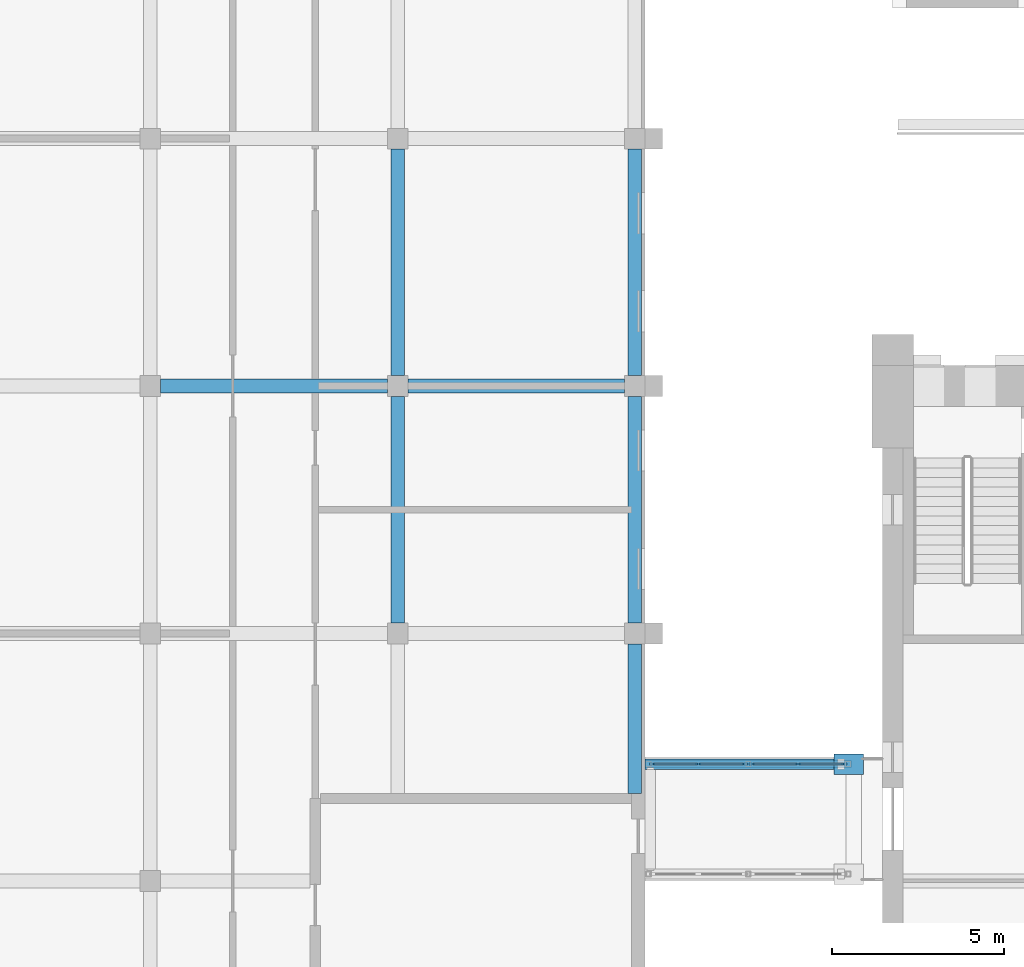
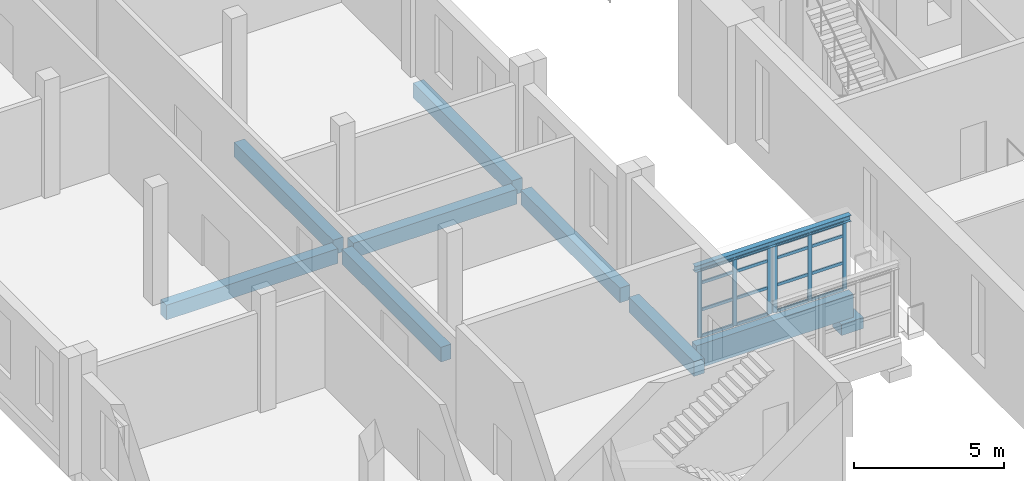
# One storey, part 41 of 131: 22 members, 10 beams, 2 elements without a shape of their own.
"""IFC4 building model written with IfcOpenShell, lengths in metres."""

from ifc_helpers import new_model, si_unit, direction, frame, origin, origin_2d, place, context, subcontext, project, spatial, rectangle, i_section, extrude, material, layer, layer_set, material_profile, profile_set, type_object, element, aggregate, save


model = new_model("IFC4")

# Units and contexts
model_context = context("Model", 3, precision=1e-05, world=origin(), true_north=direction((0.0, 1.0)))
body_context = subcontext(model_context, "Body", "Model", "MODEL_VIEW")
ifc_project = project(units=[si_unit("LENGTHUNIT", "METRE"), si_unit("AREAUNIT", "SQUARE_METRE"), si_unit("VOLUMEUNIT", "CUBIC_METRE"), si_unit("PLANEANGLEUNIT", "RADIAN"), si_unit("MASSUNIT", "GRAM", prefix="KILO")], contexts=[model_context])

# Site, building, storey
site_placement = place(None, origin())
site = spatial("IfcSite", under=ifc_project, at=site_placement, CompositionType="ELEMENT")
building_placement = place(site_placement, origin())
building = spatial("IfcBuilding", under=site, at=building_placement, Name="Alderwick Market Hall", CompositionType="ELEMENT")
storey_placement = place(building_placement, frame((0.0, 0.0, 4.800048828125)))
storey = spatial("IfcBuildingStorey", under=building, at=storey_placement, Name="L00", CompositionType="ELEMENT", Elevation=4.800048828125)

# Beams
ifc_material_1 = material(Name="Concrete 5000 psi (f'c 35 MPa)", Category="concrete")
ifc_material_profile_1 = material_profile(ifc_material_1, rectangle(XDim=0.39990234375, YDim=0.60009765625, at=origin_2d()), Name="B RC Beam 400x600")
ifc_profile_set_1 = profile_set([ifc_material_profile_1], Name="Concrete 5000 psi (f'c 35 MPa)")
beam_type_1 = type_object("IfcBeamType", Name="B RC Beam 400x600", PredefinedType="BEAM", material=ifc_profile_set_1)
beam_1_placement = place(storey_placement, frame((29.10009765625, 108.0, -0.550048828125), z_axis=(1.0, 0.0, 0.0), x_axis=(0.0, 1.0, 0.0)))
element("IfcBeam", 1, at=beam_1_placement, inside=storey, type_object=beam_type_1, Name="B.N.beam.L00.u216-0075", PredefinedType="BEAM", context=body_context, shape_type="SweptSolid", body=[
    extrude(rectangle(XDim=0.39990234375, YDim=0.60009765625, at=origin_2d()), origin(), (0.0, 0.0, 1.0), 6.599853515625),
])
beam_2_placement = place(storey_placement, frame((36.300048828125, 108.0, -0.550048828125), z_axis=(1.0, 0.0, 0.0), x_axis=(0.0, 1.0, 0.0)))
element("IfcBeam", 2, at=beam_2_placement, inside=storey, type_object=beam_type_1, Name="B.N.beam.L00.u216-0147", PredefinedType="BEAM", context=body_context, shape_type="SweptSolid", body=[
    extrude(rectangle(XDim=0.39990234375, YDim=0.60009765625, at=origin_2d()), origin(), (0.0, 0.0, 1.0), 6.300048828125),
])
for number, where, z_axis, x_axis, name in (
    (3, (36.0, 114.89990234375, -0.550048828125), (0.0, -1.0, 0.0), (1.0, 0.0, 0.0), "B.N.beam.L00.w144-0147"),
    (4, (36.0, 107.699951171875, -0.550048828125), (0.0, -1.0, 0.0), (1.0, 0.0, 0.0), "B.N.beam.L00.w144-0219"),
    (5, (42.89990234375, 114.89990234375, -0.550048828125), (0.0, -1.0, 0.0), (1.0, 0.0, 0.0), "B.N.beam.L00.w213-0147"),
    (6, (42.89990234375, 107.699951171875, -0.550048828125), (0.0, -1.0, 0.0), (1.0, 0.0, 0.0), "B.N.beam.L00.w213-0219"),
):
    element("IfcBeam", number, at=place(storey_placement, frame(where, z_axis=z_axis, x_axis=x_axis)), inside=storey, type_object=beam_type_1, Name=name, PredefinedType="BEAM", context=body_context, shape_type="SweptSolid", body=[
        extrude(rectangle(XDim=0.39990234375, YDim=0.60009765625, at=origin_2d()), origin(), (0.0, 0.0, 1.0), 6.599853515625),
    ])
beam_3_placement = place(storey_placement, frame((42.89990234375, 100.5, -0.550048828125), z_axis=(0.0, -1.0, 0.0), x_axis=(1.0, 0.0, 0.0)))
element("IfcBeam", 7, at=beam_3_placement, inside=storey, type_object=beam_type_1, Name="B.N.beam.L00.w213-0291", PredefinedType="BEAM", context=body_context, shape_type="SweptSolid", body=[
    extrude(rectangle(XDim=0.39990234375, YDim=0.60009765625, at=origin_2d()), origin(), (0.0, 0.0, 1.0), 4.35009765625),
])

# Curtain wall, members
ifc_material_2 = material(Name="Aluminium frame", Category="aluminium")
ifc_layer = layer(ifc_material_2, 0.10009765625)
ifc_layer_set = layer_set([ifc_layer], Name="Aluminium frame")
curtain_wall_type = type_object("IfcCurtainWallType", Name="P Curtain Wall 100", PredefinedType="NOTDEFINED", material=ifc_layer_set)
curtain_wall_1_placement = place(storey_placement, origin())
curtain_wall_1 = element("IfcCurtainWall", 8, at=curtain_wall_1_placement, inside=storey, type_object=curtain_wall_type, Name="P.P5.cw.b0", PredefinedType="NOTDEFINED")
ifc_material_profile_2 = material_profile(ifc_material_2, rectangle(XDim=0.06005859375, YDim=0.159912109375, at=origin_2d()), Name="P Mullion 60x160")
ifc_profile_set_2 = profile_set([ifc_material_profile_2], Name="Aluminium frame")
member_type_1 = type_object("IfcMemberType", Name="P Mullion 60x160", PredefinedType="MULLION", material=ifc_profile_set_2)
member_1_placement = place(storey_placement, frame((43.406005859375, 97.0, 0.0), z_axis=(0.0, 0.0, 1.0), x_axis=(0.0, 1.0, 0.0)))
member_1 = element("IfcMember", 9, at=member_1_placement, type_object=member_type_1, Name="P-CW5b0 mullion 1", PredefinedType="MULLION", context=body_context, shape_type="SweptSolid", body=[
    extrude(rectangle(XDim=0.06005859375, YDim=0.159912109375, at=origin_2d()), origin(), (0.0, 0.0, 1.0), 2.7529296875),
])
member_2_placement = place(storey_placement, frame((44.75, 97.0, 0.0), z_axis=(0.0, 0.0, 1.0), x_axis=(0.0, 1.0, 0.0)))
member_2 = element("IfcMember", 10, at=member_2_placement, type_object=member_type_1, Name="P-CW5b0 mullion 2", PredefinedType="MULLION", context=body_context, shape_type="SweptSolid", body=[
    extrude(rectangle(XDim=0.06005859375, YDim=0.159912109375, at=origin_2d()), origin(), (0.0, 0.0, 1.0), 2.7529296875),
])
member_3_placement = place(storey_placement, frame((46.093994140625, 97.0, 0.0), z_axis=(0.0, 0.0, 1.0), x_axis=(0.0, 1.0, 0.0)))
member_3 = element("IfcMember", 11, at=member_3_placement, type_object=member_type_1, Name="P-CW5b0 mullion 3", PredefinedType="MULLION", context=body_context, shape_type="SweptSolid", body=[
    extrude(rectangle(XDim=0.06005859375, YDim=0.159912109375, at=origin_2d()), origin(), (0.0, 0.0, 1.0), 2.7529296875),
])

curtain_wall_2_placement = place(storey_placement, origin())
curtain_wall_2 = element("IfcCurtainWall", 12, at=curtain_wall_2_placement, inside=storey, type_object=curtain_wall_type, Name="P.P5.cw.b1", PredefinedType="NOTDEFINED")
member_4_placement = place(storey_placement, frame((46.305908203125, 97.0, 0.0), z_axis=(0.0, 0.0, 1.0), x_axis=(0.0, 1.0, 0.0)))
member_4 = element("IfcMember", 13, at=member_4_placement, type_object=member_type_1, Name="P-CW5b1 mullion 1", PredefinedType="MULLION", context=body_context, shape_type="SweptSolid", body=[
    extrude(rectangle(XDim=0.06005859375, YDim=0.159912109375, at=origin_2d()), origin(), (0.0, 0.0, 1.0), 2.7529296875),
])
member_5_placement = place(storey_placement, frame((47.64990234375, 97.0, 0.0), z_axis=(0.0, 0.0, 1.0), x_axis=(0.0, 1.0, 0.0)))
member_5 = element("IfcMember", 14, at=member_5_placement, type_object=member_type_1, Name="P-CW5b1 mullion 2", PredefinedType="MULLION", context=body_context, shape_type="SweptSolid", body=[
    extrude(rectangle(XDim=0.06005859375, YDim=0.159912109375, at=origin_2d()), origin(), (0.0, 0.0, 1.0), 2.7529296875),
])
member_6_placement = place(storey_placement, frame((48.993896484375, 97.0, 0.0), z_axis=(0.0, 0.0, 1.0), x_axis=(0.0, 1.0, 0.0)))
member_6 = element("IfcMember", 15, at=member_6_placement, type_object=member_type_1, Name="P-CW5b1 mullion 3", PredefinedType="MULLION", context=body_context, shape_type="SweptSolid", body=[
    extrude(rectangle(XDim=0.06005859375, YDim=0.159912109375, at=origin_2d()), origin(), (0.0, 0.0, 1.0), 2.7529296875),
])

# Beams
ifc_material_profile_3 = material_profile(ifc_material_1, rectangle(XDim=0.60009765625, YDim=0.449951171875, at=origin_2d()), Name="P RC Bearing Corbel 600x450")
ifc_profile_set_3 = profile_set([ifc_material_profile_3], Name="Concrete 5000 psi (f'c 35 MPa)")
beam_type_2 = type_object("IfcBeamType", Name="P RC Bearing Corbel 600x450", PredefinedType="USERDEFINED", material=ifc_profile_set_3)
beam_4_placement = place(storey_placement, frame((48.699951171875, 97.0, -1.39306640625), z_axis=(1.0, 0.0, 0.0), x_axis=(0.0, 1.0, 0.0)))
element("IfcBeam", 16, at=beam_4_placement, inside=storey, type_object=beam_type_2, Name="Bearing corbel", ObjectType="CORBEL", PredefinedType="USERDEFINED", context=body_context, shape_type="SweptSolid", body=[
    extrude(rectangle(XDim=0.60009765625, YDim=0.449951171875, at=origin_2d()), origin(), (0.0, 0.0, 1.0), 0.85009765625),
])
ifc_material_profile_4 = material_profile(ifc_material_1, rectangle(XDim=0.300048828125, YDim=0.949951171875, at=origin_2d()), Name="P RC Edge Girder 300x950")
ifc_profile_set_4 = profile_set([ifc_material_profile_4], Name="Concrete 5000 psi (f'c 35 MPa)")
beam_type_3 = type_object("IfcBeamType", Name="P RC Edge Girder 300x950", PredefinedType="BEAM", material=ifc_profile_set_4)
beam_5_placement = place(storey_placement, frame((43.199951171875, 97.0, -0.675048828125), z_axis=(1.0, 0.0, 0.0), x_axis=(0.0, 1.0, 0.0)))
element("IfcBeam", 17, at=beam_5_placement, inside=storey, type_object=beam_type_3, Name="P.P5.girder.b", PredefinedType="BEAM", context=body_context, shape_type="SweptSolid", body=[
    extrude(rectangle(XDim=0.300048828125, YDim=0.949951171875, at=origin_2d()), origin(), (0.0, 0.0, 1.0), 6.050048828125),
])
ifc_material_3 = material(Name="Steel ASTM A992 Grade 50", Category="steel")
ifc_material_profile_5 = material_profile(ifc_material_3, i_section(OverallWidth=0.201904296875, OverallDepth=0.2470703125, WebThickness=0.00732421875, FlangeThickness=0.010986328125, at=origin_2d()), Name="W250x49")
ifc_profile_set_5 = profile_set([ifc_material_profile_5], Name="Steel ASTM A992 Grade 50")
beam_type_4 = type_object("IfcBeamType", Name="P Roof Beam W250x49", PredefinedType="BEAM", material=ifc_profile_set_5)
beam_6_placement = place(storey_placement, frame((43.199951171875, 97.0, 2.87646484375), z_axis=(1.0, 0.0, 0.0), x_axis=(0.0, 1.0, 0.0)))
element("IfcBeam", 18, at=beam_6_placement, inside=storey, type_object=beam_type_4, Name="P.P5.rbeam.b", PredefinedType="BEAM", context=body_context, shape_type="SweptSolid", body=[
    extrude(i_section(OverallWidth=0.201904296875, OverallDepth=0.2470703125, WebThickness=0.00732421875, FlangeThickness=0.010986328125, at=origin_2d()), origin(), (0.0, 0.0, 1.0), 6.0),
])

# Member
ifc_material_profile_6 = material_profile(ifc_material_2, rectangle(XDim=0.06005859375, YDim=0.1201171875, at=origin_2d()), Name="P Transom 60x120")
ifc_profile_set_6 = profile_set([ifc_material_profile_6], Name="Aluminium frame")
member_type_2 = type_object("IfcMemberType", Name="P Transom 60x120", PredefinedType="USERDEFINED", material=ifc_profile_set_6)
member_7_placement = place(storey_placement, frame((43.43603515625, 97.0, 0.030029296875), z_axis=(1.0, 0.0, 0.0), x_axis=(0.0, 1.0, 0.0)))
member_7 = element("IfcMember", 19, at=member_7_placement, type_object=member_type_2, Name="P-CW5b0 transom 1.1", ObjectType="TRANSOM", PredefinedType="USERDEFINED", context=body_context, shape_type="SweptSolid", body=[
    extrude(rectangle(XDim=0.06005859375, YDim=0.1201171875, at=origin_2d()), origin(), (0.0, 0.0, 1.0), 1.283935546875),
])

member_8_placement = place(storey_placement, frame((43.43603515625, 97.0, 1.099853515625), z_axis=(1.0, 0.0, 0.0), x_axis=(0.0, 1.0, 0.0)))
member_8 = element("IfcMember", 20, at=member_8_placement, type_object=member_type_2, Name="P-CW5b0 transom 1.2", ObjectType="TRANSOM", PredefinedType="USERDEFINED", context=body_context, shape_type="SweptSolid", body=[
    extrude(rectangle(XDim=0.06005859375, YDim=0.1201171875, at=origin_2d()), origin(), (0.0, 0.0, 1.0), 1.283935546875),
])

member_9_placement = place(storey_placement, frame((43.43603515625, 97.0, 2.199951171875), z_axis=(1.0, 0.0, 0.0), x_axis=(0.0, 1.0, 0.0)))
member_9 = element("IfcMember", 21, at=member_9_placement, type_object=member_type_2, Name="P-CW5b0 transom 1.3", ObjectType="TRANSOM", PredefinedType="USERDEFINED", context=body_context, shape_type="SweptSolid", body=[
    extrude(rectangle(XDim=0.06005859375, YDim=0.1201171875, at=origin_2d()), origin(), (0.0, 0.0, 1.0), 1.283935546875),
])

member_10_placement = place(storey_placement, frame((43.43603515625, 97.0, 2.722900390625), z_axis=(1.0, 0.0, 0.0), x_axis=(0.0, 1.0, 0.0)))
member_10 = element("IfcMember", 22, at=member_10_placement, type_object=member_type_2, Name="P-CW5b0 transom 1.4", ObjectType="TRANSOM", PredefinedType="USERDEFINED", context=body_context, shape_type="SweptSolid", body=[
    extrude(rectangle(XDim=0.06005859375, YDim=0.1201171875, at=origin_2d()), origin(), (0.0, 0.0, 1.0), 1.283935546875),
])

member_11_placement = place(storey_placement, frame((44.780029296875, 97.0, 0.030029296875), z_axis=(1.0, 0.0, 0.0), x_axis=(0.0, 1.0, 0.0)))
member_11 = element("IfcMember", 23, at=member_11_placement, type_object=member_type_2, Name="P-CW5b0 transom 2.1", ObjectType="TRANSOM", PredefinedType="USERDEFINED", context=body_context, shape_type="SweptSolid", body=[
    extrude(rectangle(XDim=0.06005859375, YDim=0.1201171875, at=origin_2d()), origin(), (0.0, 0.0, 1.0), 1.283935546875),
])

member_12_placement = place(storey_placement, frame((44.780029296875, 97.0, 1.099853515625), z_axis=(1.0, 0.0, 0.0), x_axis=(0.0, 1.0, 0.0)))
member_12 = element("IfcMember", 24, at=member_12_placement, type_object=member_type_2, Name="P-CW5b0 transom 2.2", ObjectType="TRANSOM", PredefinedType="USERDEFINED", context=body_context, shape_type="SweptSolid", body=[
    extrude(rectangle(XDim=0.06005859375, YDim=0.1201171875, at=origin_2d()), origin(), (0.0, 0.0, 1.0), 1.283935546875),
])

member_13_placement = place(storey_placement, frame((44.780029296875, 97.0, 2.199951171875), z_axis=(1.0, 0.0, 0.0), x_axis=(0.0, 1.0, 0.0)))
member_13 = element("IfcMember", 25, at=member_13_placement, type_object=member_type_2, Name="P-CW5b0 transom 2.3", ObjectType="TRANSOM", PredefinedType="USERDEFINED", context=body_context, shape_type="SweptSolid", body=[
    extrude(rectangle(XDim=0.06005859375, YDim=0.1201171875, at=origin_2d()), origin(), (0.0, 0.0, 1.0), 1.283935546875),
])

member_14_placement = place(storey_placement, frame((44.780029296875, 97.0, 2.722900390625), z_axis=(1.0, 0.0, 0.0), x_axis=(0.0, 1.0, 0.0)))
member_14 = element("IfcMember", 26, at=member_14_placement, type_object=member_type_2, Name="P-CW5b0 transom 2.4", ObjectType="TRANSOM", PredefinedType="USERDEFINED", context=body_context, shape_type="SweptSolid", body=[
    extrude(rectangle(XDim=0.06005859375, YDim=0.1201171875, at=origin_2d()), origin(), (0.0, 0.0, 1.0), 1.283935546875),
])

aggregate(curtain_wall_1, [member_1, member_2, member_3, member_7, member_8, member_9, member_10, member_11, member_12, member_13, member_14])

member_15_placement = place(storey_placement, frame((46.3359375, 97.0, 0.030029296875), z_axis=(1.0, 0.0, 0.0), x_axis=(0.0, 1.0, 0.0)))
member_15 = element("IfcMember", 27, at=member_15_placement, type_object=member_type_2, Name="P-CW5b1 transom 1.1", ObjectType="TRANSOM", PredefinedType="USERDEFINED", context=body_context, shape_type="SweptSolid", body=[
    extrude(rectangle(XDim=0.06005859375, YDim=0.1201171875, at=origin_2d()), origin(), (0.0, 0.0, 1.0), 1.2841796875),
])

member_16_placement = place(storey_placement, frame((46.3359375, 97.0, 1.099853515625), z_axis=(1.0, 0.0, 0.0), x_axis=(0.0, 1.0, 0.0)))
member_16 = element("IfcMember", 28, at=member_16_placement, type_object=member_type_2, Name="P-CW5b1 transom 1.2", ObjectType="TRANSOM", PredefinedType="USERDEFINED", context=body_context, shape_type="SweptSolid", body=[
    extrude(rectangle(XDim=0.06005859375, YDim=0.1201171875, at=origin_2d()), origin(), (0.0, 0.0, 1.0), 1.2841796875),
])

member_17_placement = place(storey_placement, frame((46.3359375, 97.0, 2.199951171875), z_axis=(1.0, 0.0, 0.0), x_axis=(0.0, 1.0, 0.0)))
member_17 = element("IfcMember", 29, at=member_17_placement, type_object=member_type_2, Name="P-CW5b1 transom 1.3", ObjectType="TRANSOM", PredefinedType="USERDEFINED", context=body_context, shape_type="SweptSolid", body=[
    extrude(rectangle(XDim=0.06005859375, YDim=0.1201171875, at=origin_2d()), origin(), (0.0, 0.0, 1.0), 1.2841796875),
])

member_18_placement = place(storey_placement, frame((46.3359375, 97.0, 2.722900390625), z_axis=(1.0, 0.0, 0.0), x_axis=(0.0, 1.0, 0.0)))
member_18 = element("IfcMember", 30, at=member_18_placement, type_object=member_type_2, Name="P-CW5b1 transom 1.4", ObjectType="TRANSOM", PredefinedType="USERDEFINED", context=body_context, shape_type="SweptSolid", body=[
    extrude(rectangle(XDim=0.06005859375, YDim=0.1201171875, at=origin_2d()), origin(), (0.0, 0.0, 1.0), 1.2841796875),
])

member_19_placement = place(storey_placement, frame((47.679931640625, 97.0, 0.030029296875), z_axis=(1.0, 0.0, 0.0), x_axis=(0.0, 1.0, 0.0)))
member_19 = element("IfcMember", 31, at=member_19_placement, type_object=member_type_2, Name="P-CW5b1 transom 2.1", ObjectType="TRANSOM", PredefinedType="USERDEFINED", context=body_context, shape_type="SweptSolid", body=[
    extrude(rectangle(XDim=0.06005859375, YDim=0.1201171875, at=origin_2d()), origin(), (0.0, 0.0, 1.0), 1.2841796875),
])

member_20_placement = place(storey_placement, frame((47.679931640625, 97.0, 1.099853515625), z_axis=(1.0, 0.0, 0.0), x_axis=(0.0, 1.0, 0.0)))
member_20 = element("IfcMember", 32, at=member_20_placement, type_object=member_type_2, Name="P-CW5b1 transom 2.2", ObjectType="TRANSOM", PredefinedType="USERDEFINED", context=body_context, shape_type="SweptSolid", body=[
    extrude(rectangle(XDim=0.06005859375, YDim=0.1201171875, at=origin_2d()), origin(), (0.0, 0.0, 1.0), 1.2841796875),
])

member_21_placement = place(storey_placement, frame((47.679931640625, 97.0, 2.199951171875), z_axis=(1.0, 0.0, 0.0), x_axis=(0.0, 1.0, 0.0)))
member_21 = element("IfcMember", 33, at=member_21_placement, type_object=member_type_2, Name="P-CW5b1 transom 2.3", ObjectType="TRANSOM", PredefinedType="USERDEFINED", context=body_context, shape_type="SweptSolid", body=[
    extrude(rectangle(XDim=0.06005859375, YDim=0.1201171875, at=origin_2d()), origin(), (0.0, 0.0, 1.0), 1.2841796875),
])

member_22_placement = place(storey_placement, frame((47.679931640625, 97.0, 2.722900390625), z_axis=(1.0, 0.0, 0.0), x_axis=(0.0, 1.0, 0.0)))
member_22 = element("IfcMember", 34, at=member_22_placement, type_object=member_type_2, Name="P-CW5b1 transom 2.4", ObjectType="TRANSOM", PredefinedType="USERDEFINED", context=body_context, shape_type="SweptSolid", body=[
    extrude(rectangle(XDim=0.06005859375, YDim=0.1201171875, at=origin_2d()), origin(), (0.0, 0.0, 1.0), 1.2841796875),
])

aggregate(curtain_wall_2, [member_4, member_5, member_6, member_15, member_16, member_17, member_18, member_19, member_20, member_21, member_22])

save(model, "model.ifc")
